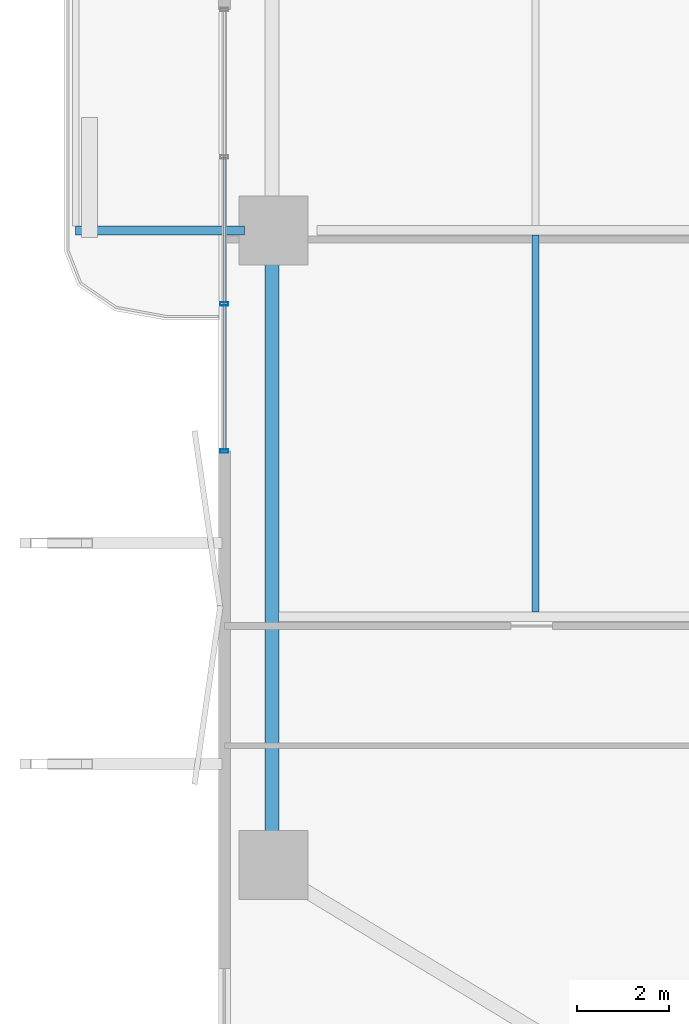
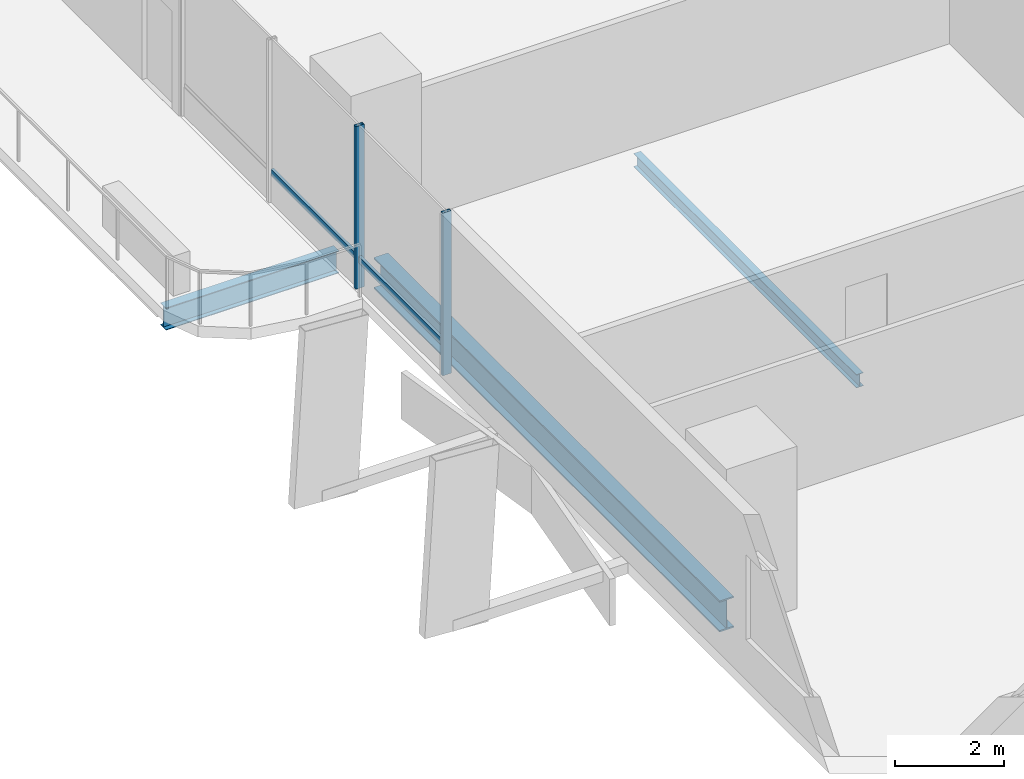
# One storey, part 6 of 30: 4 members, 3 beams, 1 element without a shape of its own.
"""IFC4 building model written with IfcOpenShell, lengths in metres."""

from ifc_helpers import new_model, si_unit, direction, frame, origin, origin_2d, place, context, subcontext, project, spatial, hollow_rectangle, i_section, extrude, material, layer, layer_set, material_profile, profile_set, type_object, element, aggregate, save


model = new_model("IFC4")

# Units and contexts
model_context = context("Model", 3, precision=1e-05, world=origin(), true_north=direction((0.0, 1.0)))
body_context = subcontext(model_context, "Body", "Model", "MODEL_VIEW")
ifc_project = project(units=[si_unit("LENGTHUNIT", "METRE"), si_unit("AREAUNIT", "SQUARE_METRE"), si_unit("VOLUMEUNIT", "CUBIC_METRE"), si_unit("PLANEANGLEUNIT", "RADIAN"), si_unit("MASSUNIT", "GRAM", prefix="KILO")], contexts=[model_context])

# Site, building, storey
site_placement = place(None, origin())
site = spatial("IfcSite", under=ifc_project, at=site_placement, CompositionType="ELEMENT")
building_placement = place(site_placement, origin())
building = spatial("IfcBuilding", under=site, at=building_placement, Name="Belovzor Exchange Tower", CompositionType="ELEMENT")
storey_placement = place(building_placement, frame((0.0, 0.0, 30.0)))
storey = spatial("IfcBuildingStorey", under=building, at=storey_placement, Name="L06", CompositionType="ELEMENT", Elevation=30.0)

# Beams
ifc_material_1 = material(Name="Steel S355", Category="steel")
ifc_material_profile_1 = material_profile(ifc_material_1, i_section(OverallWidth=0.199951171875, OverallDepth=0.5, WebThickness=0.01025390625, FlangeThickness=0.01611328125, at=origin_2d()))
ifc_profile_set_1 = profile_set([ifc_material_profile_1], Name="Steel S355")
beam_type_1 = type_object("IfcBeamType", Name="Planted Balcony Cantilever Beam IPE 500", PredefinedType="BEAM", material=ifc_profile_set_1)
beam_1_placement = place(storey_placement, frame((1.469970703125, 28.800048828125, -0.5), z_axis=(-1.0, 0.0, 0.0), x_axis=(0.0, -1.0, 0.0)))
element("IfcBeam", 1, at=beam_1_placement, inside=storey, type_object=beam_type_1, Name="BC-500 Planted Balcony Cantilever Beam IPE 500", PredefinedType="BEAM", context=body_context, shape_type="SweptSolid", body=[
    extrude(i_section(OverallWidth=0.199951171875, OverallDepth=0.5, WebThickness=0.01025390625, FlangeThickness=0.01611328125, at=origin_2d()), origin(), (0.0, 0.0, 1.0), 3.669921875),
])
ifc_material_2 = material(Name="Steel S355", Category="steel")
ifc_material_profile_2 = material_profile(ifc_material_2, i_section(OverallWidth=0.14990234375, OverallDepth=0.300048828125, WebThickness=0.007080078125, FlangeThickness=0.0107421875, at=origin_2d()))
ifc_profile_set_2 = profile_set([ifc_material_profile_2], Name="Steel S355")
beam_type_2 = type_object("IfcBeamType", Name="Secondary Trim Floor Joist IPE 300", PredefinedType="BEAM", material=ifc_profile_set_2)
beam_2_placement = place(storey_placement, frame((7.794921875, 20.5048828125, -0.39990234375), z_axis=(0.0, 1.0, 0.0), x_axis=(-1.0, 0.0, 0.0)))
element("IfcBeam", 2, at=beam_2_placement, inside=storey, type_object=beam_type_2, Name="FJ-300 Secondary Trim Floor Joist IPE 300", PredefinedType="BEAM", context=body_context, shape_type="SweptSolid", body=[
    extrude(i_section(OverallWidth=0.14990234375, OverallDepth=0.300048828125, WebThickness=0.007080078125, FlangeThickness=0.0107421875, at=origin_2d()), origin(), (0.0, 0.0, 1.0), 8.190185546875),
])

# Curtain wall, members
ifc_material_3 = material(Name="Anodised Aluminium Framing", Category="aluminium")
ifc_layer = layer(ifc_material_3, 0.179931640625)
ifc_layer_set = layer_set([ifc_layer], Name="Anodised Aluminium Framing")
curtain_wall_type = type_object("IfcCurtainWallType", Name="Recessed Loggia Low-Iron Triple-Glazed Curtain Wall", PredefinedType="NOTDEFINED", material=ifc_layer_set)
curtain_wall_placement = place(storey_placement, origin())
curtain_wall = element("IfcCurtainWall", 3, at=curtain_wall_placement, inside=storey, type_object=curtain_wall_type, Name="CW3 Recessed Loggia Low-Iron Triple-Glazed Curtain Wall L06", PredefinedType="NOTDEFINED")
ifc_material_4 = material(Name="Steel S355", Category="steel")
ifc_material_profile_3 = material_profile(ifc_material_4, hollow_rectangle(XDim=0.074951171875, YDim=0.179931640625, WallThickness=0.0048828125, at=origin_2d()))
ifc_profile_set_3 = profile_set([ifc_material_profile_3], Name="Steel S355")
member_type_1 = type_object("IfcMemberType", Name="Thermally Broken Curtain Wall Mullion 180x75", PredefinedType="MULLION", material=ifc_profile_set_3)
member_1_placement = place(storey_placement, frame((1.030029296875, 24.0, 0.0), z_axis=(0.0, 0.0, 1.0), x_axis=(0.0, 1.0, 0.0)))
member_1 = element("IfcMember", 4, at=member_1_placement, type_object=member_type_1, Name="CW-M180 Curtain Wall Mullion 1", PredefinedType="MULLION", context=body_context, shape_type="SweptSolid", body=[
    extrude(hollow_rectangle(XDim=0.074951171875, YDim=0.179931640625, WallThickness=0.0048828125, at=origin_2d()), origin(), (0.0, 0.0, 1.0), 3.64990234375),
])
member_2_placement = place(storey_placement, frame((1.030029296875, 27.199951171875, 0.0), z_axis=(0.0, 0.0, 1.0), x_axis=(0.0, 1.0, 0.0)))
member_2 = element("IfcMember", 5, at=member_2_placement, type_object=member_type_1, Name="CW-M180 Curtain Wall Mullion 2", PredefinedType="MULLION", context=body_context, shape_type="SweptSolid", body=[
    extrude(hollow_rectangle(XDim=0.074951171875, YDim=0.179931640625, WallThickness=0.0048828125, at=origin_2d()), origin(), (0.0, 0.0, 1.0), 3.64990234375),
])
ifc_material_5 = material(Name="Steel S355", Category="steel")
ifc_material_profile_4 = material_profile(ifc_material_5, hollow_rectangle(XDim=0.06005859375, YDim=0.14990234375, WallThickness=0.00390625, at=origin_2d()))
ifc_profile_set_4 = profile_set([ifc_material_profile_4], Name="Steel S355")
member_type_2 = type_object("IfcMemberType", Name="Thermally Broken Curtain Wall Transom 150x60", PredefinedType="USERDEFINED", material=ifc_profile_set_4)
member_3_placement = place(storey_placement, frame((1.030029296875, 24.008056640625, 0.64990234375), z_axis=(0.0, 1.0, 0.0), x_axis=(-1.0, 0.0, 0.0)))
member_3 = element("IfcMember", 6, at=member_3_placement, type_object=member_type_2, Name="CW-T150 Curtain Wall Transom 1", ObjectType="TRANSOM", PredefinedType="USERDEFINED", context=body_context, shape_type="SweptSolid", body=[
    extrude(hollow_rectangle(XDim=0.06005859375, YDim=0.14990234375, WallThickness=0.00390625, at=origin_2d()), origin(), (0.0, 0.0, 1.0), 3.183837890625),
])
member_4_placement = place(storey_placement, frame((1.030029296875, 27.2080078125, 0.64990234375), z_axis=(0.0, 1.0, 0.0), x_axis=(-1.0, 0.0, 0.0)))
member_4 = element("IfcMember", 7, at=member_4_placement, type_object=member_type_2, Name="CW-T150 Curtain Wall Transom 2", ObjectType="TRANSOM", PredefinedType="USERDEFINED", context=body_context, shape_type="SweptSolid", body=[
    extrude(hollow_rectangle(XDim=0.06005859375, YDim=0.14990234375, WallThickness=0.00390625, at=origin_2d()), origin(), (0.0, 0.0, 1.0), 3.18408203125),
])
aggregate(curtain_wall, [member_1, member_2, member_3, member_4])

# Beam
ifc_material_6 = material(Name="Steel S355", Category="steel")
ifc_material_profile_5 = material_profile(ifc_material_6, i_section(OverallWidth=0.300048828125, OverallDepth=0.699951171875, WebThickness=0.01708984375, FlangeThickness=0.031982421875, at=origin_2d()))
ifc_profile_set_5 = profile_set([ifc_material_profile_5], Name="Steel S355")
beam_type_3 = type_object("IfcBeamType", Name="Zone 1 Primary Perimeter Girder HEB 700", PredefinedType="BEAM", material=ifc_profile_set_5)
beam_3_placement = place(storey_placement, frame((2.070068359375, 28.195068359375, -0.60009765625), z_axis=(0.0, -1.0, 0.0), x_axis=(1.0, 0.0, 0.0)))
element("IfcBeam", 8, at=beam_3_placement, inside=storey, type_object=beam_type_3, Name="FG-Z1 Zone 1 Primary Perimeter Girder HEB 700", PredefinedType="BEAM", context=body_context, shape_type="SweptSolid", body=[
    extrude(i_section(OverallWidth=0.300048828125, OverallDepth=0.699951171875, WebThickness=0.01708984375, FlangeThickness=0.031982421875, at=origin_2d()), origin(), (0.0, 0.0, 1.0), 12.7099609375),
])

save(model, "model.ifc")
